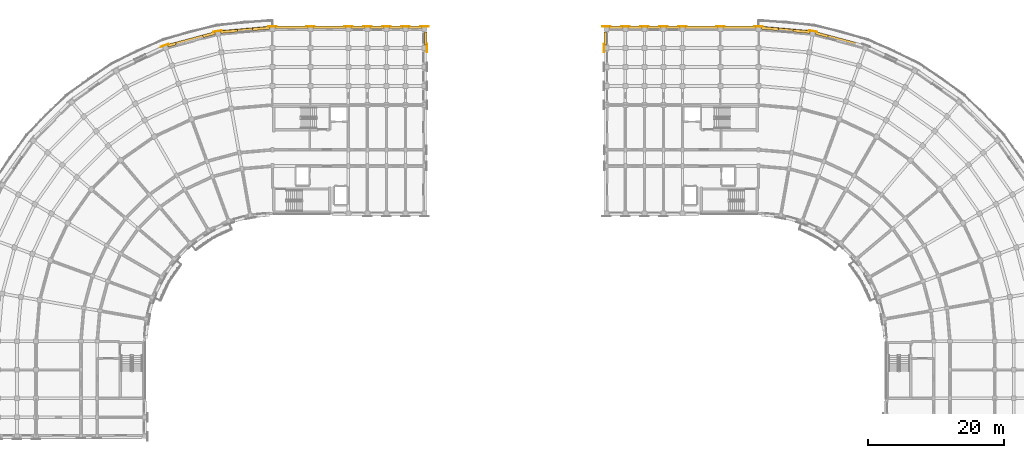
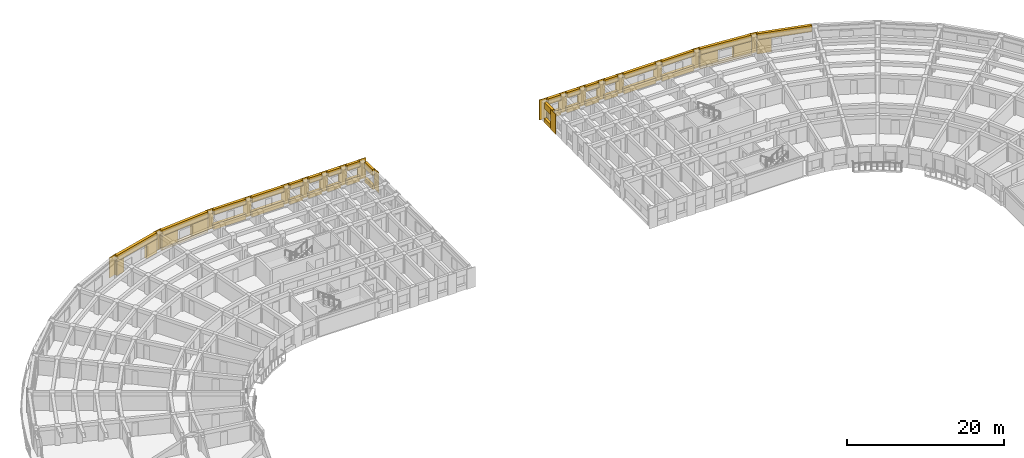
# One storey, part 56 of 57: 60 coverings.
"""IFC4 building model written with IfcOpenShell, lengths in metres."""

from ifc_helpers import new_model, si_unit, direction, frame, origin, place, context, subcontext, project, spatial, polyline, outline, extrude, material, layer, layer_set, type_object, element, save


model = new_model("IFC4")

# Units and contexts
model_context = context("Model", 3, precision=1e-05, world=origin(), true_north=direction((0.0, 1.0)))
body_context = subcontext(model_context, "Body", "Model", "MODEL_VIEW")
ifc_project = project(units=[si_unit("LENGTHUNIT", "METRE"), si_unit("AREAUNIT", "SQUARE_METRE"), si_unit("VOLUMEUNIT", "CUBIC_METRE"), si_unit("PLANEANGLEUNIT", "RADIAN"), si_unit("MASSUNIT", "GRAM", prefix="KILO")], contexts=[model_context])

# Site, building, storey
site_placement = place(None, origin())
site = spatial("IfcSite", under=ifc_project, at=site_placement, CompositionType="ELEMENT")
building_placement = place(site_placement, origin())
building = spatial("IfcBuilding", under=site, at=building_placement, Name="Kiranvali Square Residences", CompositionType="ELEMENT")
storey_placement = place(building_placement, frame((0.0, 0.0, 18.14990234375)))
storey = spatial("IfcBuildingStorey", under=building, at=storey_placement, Name="L05", CompositionType="ELEMENT", Elevation=18.14990234375)

# Coverings
ifc_material = material(Name="Honed Porbandar limestone ashlar facade cladding", Category="masonry")
ifc_layer_1 = layer(ifc_material, 0.3798828125)
ifc_layer_set_1 = layer_set([ifc_layer_1], Name="Honed Porbandar limestone ashlar facade cladding")
covering_type_1 = type_object("IfcCoveringType", Name="COV-CLAD-JAMB", PredefinedType="CLADDING", material=ifc_layer_set_1)
covering_1_placement = place(storey_placement, frame((0.0, 0.0, 0.3720703125)))
element("IfcCovering", 1, at=covering_1_placement, inside=storey, type_object=covering_type_1, Name="L05 deep limestone window jamb reveal A-L05-CRV-00.L", PredefinedType="CLADDING", context=body_context, shape_type="SweptSolid", body=[
    extrude(outline(polyline([(47.765869140625, 134.173583984375), (45.26611328125, 133.954833984375), (45.3017578125, 133.546875), (47.801513671875, 133.765625), (47.765869140625, 134.173583984375)])), origin(), (0.0, 0.0, 1.0), 1.800048828125),
])
covering_2_placement = place(storey_placement, frame((0.0, 0.0, 0.3720703125)))
element("IfcCovering", 2, at=covering_2_placement, inside=storey, type_object=covering_type_1, Name="L05 deep limestone window jamb reveal A-L05-CRV-00.R", PredefinedType="CLADDING", context=body_context, shape_type="SweptSolid", body=[
    extrude(outline(polyline([(43.074462890625, 133.76318359375), (40.574951171875, 133.54443359375), (40.610595703125, 133.136474609375), (43.1103515625, 133.355224609375), (43.074462890625, 133.76318359375)])), origin(), (0.0, 0.0, 1.0), 1.800048828125),
])
covering_3_placement = place(storey_placement, origin())
element("IfcCovering", 3, at=covering_3_placement, inside=storey, type_object=covering_type_1, Name="L05 deep limestone window jamb reveal A-L05-CRV-01.L", PredefinedType="CLADDING", context=body_context, shape_type="SweptSolid", body=[
    extrude(outline(polyline([(39.7197265625, 133.3935546875), (37.9072265625, 132.907958984375), (38.01318359375, 132.512451171875), (39.82568359375, 132.998046875), (39.7197265625, 133.3935546875)])), origin(), (0.0, 0.0, 1.0), 2.18017578125),
])
covering_4_placement = place(storey_placement, origin())
element("IfcCovering", 4, at=covering_4_placement, inside=storey, type_object=covering_type_1, Name="L05 deep limestone window jamb reveal A-L05-CRV-01.R", PredefinedType="CLADDING", context=body_context, shape_type="SweptSolid", body=[
    extrude(outline(polyline([(33.932373046875, 131.843017578125), (32.747314453125, 131.525390625), (32.853271484375, 131.1298828125), (34.038330078125, 131.447265625), (33.932373046875, 131.843017578125)])), origin(), (0.0, 0.0, 1.0), 2.18017578125),
])
covering_5_placement = place(storey_placement, frame((0.0, 0.0, 0.3720703125)))
element("IfcCovering", 5, at=covering_5_placement, inside=storey, type_object=covering_type_1, Name="L05 deep limestone window jamb reveal B-L05-CRV-00.L", PredefinedType="CLADDING", context=body_context, shape_type="SweptSolid", body=[
    extrude(outline(polyline([(120.198486328125, 133.765625), (122.6982421875, 133.546875), (122.73388671875, 133.954833984375), (120.234130859375, 134.173583984375), (120.198486328125, 133.765625)])), origin(), (0.0, 0.0, 1.0), 1.800048828125),
])
covering_6_placement = place(storey_placement, frame((0.0, 0.0, 0.3720703125)))
element("IfcCovering", 6, at=covering_6_placement, inside=storey, type_object=covering_type_1, Name="L05 deep limestone window jamb reveal B-L05-CRV-00.R", PredefinedType="CLADDING", context=body_context, shape_type="SweptSolid", body=[
    extrude(outline(polyline([(124.8896484375, 133.355224609375), (127.389404296875, 133.136474609375), (127.425048828125, 133.54443359375), (124.925537109375, 133.76318359375), (124.8896484375, 133.355224609375)])), origin(), (0.0, 0.0, 1.0), 1.800048828125),
])
covering_7_placement = place(storey_placement, origin())
element("IfcCovering", 7, at=covering_7_placement, inside=storey, type_object=covering_type_1, Name="L05 deep limestone window jamb reveal B-L05-CRV-01.L", PredefinedType="CLADDING", context=body_context, shape_type="SweptSolid", body=[
    extrude(outline(polyline([(128.17431640625, 132.998046875), (129.98681640625, 132.512451171875), (130.0927734375, 132.907958984375), (128.2802734375, 133.3935546875), (128.17431640625, 132.998046875)])), origin(), (0.0, 0.0, 1.0), 2.18017578125),
])
ifc_layer_2 = layer(ifc_material, 0.06494140625)
ifc_layer_set_2 = layer_set([ifc_layer_2], Name="Honed Porbandar limestone ashlar facade cladding")
covering_type_2 = type_object("IfcCoveringType", Name="COV-CLAD-PIER", PredefinedType="CLADDING", material=ifc_layer_set_2)
covering_8_placement = place(storey_placement, frame((0.0, 0.0, 0.005126953125)))
element("IfcCovering", 8, at=covering_8_placement, inside=storey, type_object=covering_type_2, Name="L05 Classical limestone corner pilaster CLAD-PR-A-L05-A00", PredefinedType="CLADDING", context=body_context, shape_type="SweptSolid", body=[
    extrude(outline(polyline([(48.830078125, 134.218017578125), (47.570068359375, 134.218017578125), (47.570068359375, 134.150390625), (48.830078125, 134.150390625), (48.830078125, 134.218017578125)])), origin(), (0.0, 0.0, 1.0), 3.139892578125),
])
covering_9_placement = place(storey_placement, frame((0.0, 0.0, 0.005126953125)))
element("IfcCovering", 9, at=covering_9_placement, inside=storey, type_object=covering_type_2, Name="L05 Classical limestone corner pilaster CLAD-PR-A-L05-A01", PredefinedType="CLADDING", context=body_context, shape_type="SweptSolid", body=[
    extrude(outline(polyline([(40.760009765625, 133.622314453125), (39.519287109375, 133.4033203125), (39.531005859375, 133.3369140625), (40.771728515625, 133.5556640625), (40.760009765625, 133.622314453125)])), origin(), (0.0, 0.0, 1.0), 3.139892578125),
])
covering_10_placement = place(storey_placement, frame((0.0, 0.0, 0.005126953125)))
element("IfcCovering", 10, at=covering_10_placement, inside=storey, type_object=covering_type_2, Name="L05 Classical limestone corner pilaster CLAD-PR-A-L05-A02", PredefinedType="CLADDING", context=body_context, shape_type="SweptSolid", body=[
    extrude(outline(polyline([(32.916015625, 131.634033203125), (31.732177734375, 131.203125), (31.755126953125, 131.1396484375), (32.939208984375, 131.57080078125), (32.916015625, 131.634033203125)])), origin(), (0.0, 0.0, 1.0), 3.139892578125),
])
covering_11_placement = place(storey_placement, frame((0.0, 0.0, 0.005126953125)))
element("IfcCovering", 11, at=covering_11_placement, inside=storey, type_object=covering_type_2, Name="L05 Classical limestone pilaster casing CLAD-PR-A-L05-U56", PredefinedType="CLADDING", context=body_context, shape_type="SweptSolid", body=[
    extrude(outline(polyline([(53.169921875, 134.150390625), (54.429931640625, 134.150390625), (54.429931640625, 134.218017578125), (53.169921875, 134.218017578125), (53.169921875, 134.150390625)])), origin(), (0.0, 0.0, 1.0), 3.139892578125),
])
covering_12_placement = place(storey_placement, frame((0.0, 0.0, 0.005126953125)))
element("IfcCovering", 12, at=covering_12_placement, inside=storey, type_object=covering_type_2, Name="L05 Classical limestone pilaster casing CLAD-PR-A-L05-U112", PredefinedType="CLADDING", context=body_context, shape_type="SweptSolid", body=[
    extrude(outline(polyline([(58.77001953125, 134.150390625), (60.030029296875, 134.150390625), (60.030029296875, 134.218017578125), (58.77001953125, 134.218017578125), (58.77001953125, 134.150390625)])), origin(), (0.0, 0.0, 1.0), 3.139892578125),
])
covering_13_placement = place(storey_placement, frame((0.0, 0.0, 0.005126953125)))
element("IfcCovering", 13, at=covering_13_placement, inside=storey, type_object=covering_type_2, Name="L05 Classical limestone pilaster casing CLAD-PR-A-L05-U140", PredefinedType="CLADDING", context=body_context, shape_type="SweptSolid", body=[
    extrude(outline(polyline([(61.570068359375, 134.150390625), (62.830078125, 134.150390625), (62.830078125, 134.218017578125), (61.570068359375, 134.218017578125), (61.570068359375, 134.150390625)])), origin(), (0.0, 0.0, 1.0), 3.139892578125),
])
covering_14_placement = place(storey_placement, frame((0.0, 0.0, 0.005126953125)))
element("IfcCovering", 14, at=covering_14_placement, inside=storey, type_object=covering_type_2, Name="L05 Classical limestone pilaster casing CLAD-PR-A-L05-U167", PredefinedType="CLADDING", context=body_context, shape_type="SweptSolid", body=[
    extrude(outline(polyline([(64.3701171875, 134.150390625), (65.6298828125, 134.150390625), (65.6298828125, 134.218017578125), (64.3701171875, 134.218017578125), (64.3701171875, 134.150390625)])), origin(), (0.0, 0.0, 1.0), 3.139892578125),
])
covering_15_placement = place(storey_placement, frame((0.0, 0.0, 0.005126953125)))
element("IfcCovering", 15, at=covering_15_placement, inside=storey, type_object=covering_type_2, Name="L05 Classical limestone pilaster casing CLAD-PR-A-L05-U195", PredefinedType="CLADDING", context=body_context, shape_type="SweptSolid", body=[
    extrude(outline(polyline([(67.169921875, 134.150390625), (68.429931640625, 134.150390625), (68.429931640625, 134.218017578125), (67.169921875, 134.218017578125), (67.169921875, 134.150390625)])), origin(), (0.0, 0.0, 1.0), 3.139892578125),
])
covering_16_placement = place(storey_placement, frame((0.0, 0.0, 0.005126953125)))
element("IfcCovering", 16, at=covering_16_placement, inside=storey, type_object=covering_type_2, Name="L05 Classical limestone pilaster casing CLAD-PR-A-L05-U224", PredefinedType="CLADDING", context=body_context, shape_type="SweptSolid", body=[
    extrude(outline(polyline([(69.969970703125, 134.150390625), (71.22998046875, 134.150390625), (71.22998046875, 134.218017578125), (69.969970703125, 134.218017578125), (69.969970703125, 134.150390625)])), origin(), (0.0, 0.0, 1.0), 3.139892578125),
])
covering_17_placement = place(storey_placement, frame((0.0, 0.0, 0.005126953125)))
element("IfcCovering", 17, at=covering_17_placement, inside=storey, type_object=covering_type_2, Name="L05 Classical limestone corner pilaster CLAD-PR-B-L05-A00", PredefinedType="CLADDING", context=body_context, shape_type="SweptSolid", body=[
    extrude(outline(polyline([(120.429931640625, 134.218017578125), (119.169921875, 134.218017578125), (119.169921875, 134.150390625), (120.429931640625, 134.150390625), (120.429931640625, 134.218017578125)])), origin(), (0.0, 0.0, 1.0), 3.139892578125),
])
covering_18_placement = place(storey_placement, frame((0.0, 0.0, 0.005126953125)))
element("IfcCovering", 18, at=covering_18_placement, inside=storey, type_object=covering_type_2, Name="L05 Classical limestone corner pilaster CLAD-PR-B-L05-A01", PredefinedType="CLADDING", context=body_context, shape_type="SweptSolid", body=[
    extrude(outline(polyline([(128.480712890625, 133.4033203125), (127.239990234375, 133.622314453125), (127.228271484375, 133.5556640625), (128.468994140625, 133.3369140625), (128.480712890625, 133.4033203125)])), origin(), (0.0, 0.0, 1.0), 3.139892578125),
])
covering_19_placement = place(storey_placement, frame((0.0, 0.0, 0.005126953125)))
element("IfcCovering", 19, at=covering_19_placement, inside=storey, type_object=covering_type_2, Name="L05 Classical limestone pilaster casing CLAD-PR-B-L05-U56", PredefinedType="CLADDING", context=body_context, shape_type="SweptSolid", body=[
    extrude(outline(polyline([(114.830078125, 134.218017578125), (113.570068359375, 134.218017578125), (113.570068359375, 134.150390625), (114.830078125, 134.150390625), (114.830078125, 134.218017578125)])), origin(), (0.0, 0.0, 1.0), 3.139892578125),
])
covering_20_placement = place(storey_placement, frame((0.0, 0.0, 0.005126953125)))
element("IfcCovering", 20, at=covering_20_placement, inside=storey, type_object=covering_type_2, Name="L05 Classical limestone pilaster casing CLAD-PR-B-L05-U112", PredefinedType="CLADDING", context=body_context, shape_type="SweptSolid", body=[
    extrude(outline(polyline([(109.22998046875, 134.218017578125), (107.969970703125, 134.218017578125), (107.969970703125, 134.150390625), (109.22998046875, 134.150390625), (109.22998046875, 134.218017578125)])), origin(), (0.0, 0.0, 1.0), 3.139892578125),
])
covering_21_placement = place(storey_placement, frame((0.0, 0.0, 0.005126953125)))
element("IfcCovering", 21, at=covering_21_placement, inside=storey, type_object=covering_type_2, Name="L05 Classical limestone pilaster casing CLAD-PR-B-L05-U140", PredefinedType="CLADDING", context=body_context, shape_type="SweptSolid", body=[
    extrude(outline(polyline([(106.429931640625, 134.218017578125), (105.169921875, 134.218017578125), (105.169921875, 134.150390625), (106.429931640625, 134.150390625), (106.429931640625, 134.218017578125)])), origin(), (0.0, 0.0, 1.0), 3.139892578125),
])
covering_22_placement = place(storey_placement, frame((0.0, 0.0, 0.005126953125)))
element("IfcCovering", 22, at=covering_22_placement, inside=storey, type_object=covering_type_2, Name="L05 Classical limestone pilaster casing CLAD-PR-B-L05-U167", PredefinedType="CLADDING", context=body_context, shape_type="SweptSolid", body=[
    extrude(outline(polyline([(103.6298828125, 134.218017578125), (102.3701171875, 134.218017578125), (102.3701171875, 134.150390625), (103.6298828125, 134.150390625), (103.6298828125, 134.218017578125)])), origin(), (0.0, 0.0, 1.0), 3.139892578125),
])
covering_23_placement = place(storey_placement, frame((0.0, 0.0, 0.005126953125)))
element("IfcCovering", 23, at=covering_23_placement, inside=storey, type_object=covering_type_2, Name="L05 Classical limestone pilaster casing CLAD-PR-B-L05-U195", PredefinedType="CLADDING", context=body_context, shape_type="SweptSolid", body=[
    extrude(outline(polyline([(100.830078125, 134.218017578125), (99.570068359375, 134.218017578125), (99.570068359375, 134.150390625), (100.830078125, 134.150390625), (100.830078125, 134.218017578125)])), origin(), (0.0, 0.0, 1.0), 3.139892578125),
])
covering_24_placement = place(storey_placement, frame((0.0, 0.0, 0.005126953125)))
element("IfcCovering", 24, at=covering_24_placement, inside=storey, type_object=covering_type_2, Name="L05 Classical limestone pilaster casing CLAD-PR-B-L05-U224", PredefinedType="CLADDING", context=body_context, shape_type="SweptSolid", body=[
    extrude(outline(polyline([(98.030029296875, 134.218017578125), (96.77001953125, 134.218017578125), (96.77001953125, 134.150390625), (98.030029296875, 134.150390625), (98.030029296875, 134.218017578125)])), origin(), (0.0, 0.0, 1.0), 3.139892578125),
])
ifc_layer_3 = layer(ifc_material, 0.054931640625)
ifc_layer_set_3 = layer_set([ifc_layer_3], Name="Honed Porbandar limestone ashlar facade cladding")
covering_type_3 = type_object("IfcCoveringType", Name="COV-CLAD-PIER-UP", PredefinedType="CLADDING", material=ifc_layer_set_3)
covering_25_placement = place(storey_placement, frame((0.0, 0.0, 0.005126953125)))
element("IfcCovering", 25, at=covering_25_placement, inside=storey, type_object=covering_type_3, Name="L05 Classical limestone pilaster casing CLAD-PRA1E-A-L05-R432", PredefinedType="CLADDING", context=body_context, shape_type="SweptSolid", body=[
    extrude(outline(polyline([(71.01806640625, 130.3701171875), (71.01806640625, 131.6298828125), (70.950439453125, 131.6298828125), (70.950439453125, 130.3701171875), (71.01806640625, 130.3701171875)])), origin(), (0.0, 0.0, 1.0), 3.139892578125),
])
covering_26_placement = place(storey_placement, frame((0.0, 0.0, 0.005126953125)))
element("IfcCovering", 26, at=covering_26_placement, inside=storey, type_object=covering_type_3, Name="L05 Classical limestone pilaster casing CLAD-PRA1E-B-L05-R432", PredefinedType="CLADDING", context=body_context, shape_type="SweptSolid", body=[
    extrude(outline(polyline([(97.049560546875, 130.3701171875), (97.049560546875, 131.6298828125), (96.98193359375, 131.6298828125), (96.98193359375, 130.3701171875), (97.049560546875, 130.3701171875)])), origin(), (0.0, 0.0, 1.0), 3.139892578125),
])
ifc_layer_4 = layer(ifc_material, 0.360107421875)
ifc_layer_set_4 = layer_set([ifc_layer_4], Name="Honed Porbandar limestone ashlar facade cladding")
covering_type_4 = type_object("IfcCoveringType", Name="COV-CLAD-WALL", PredefinedType="CLADDING", material=ifc_layer_set_4)
covering_27_placement = place(storey_placement, frame((0.0, 0.0, 2.172119140625)))
element("IfcCovering", 27, at=covering_27_placement, inside=storey, type_object=covering_type_4, Name="L05 light limestone spandrel lintel A-L05-CRV-00", PredefinedType="CLADDING", context=body_context, shape_type="SweptSolid", body=[
    extrude(outline(polyline([(47.765869140625, 134.173583984375), (40.574951171875, 133.54443359375), (40.610595703125, 133.136474609375), (47.801513671875, 133.765625), (47.765869140625, 134.173583984375)])), origin(), (0.0, 0.0, 1.0), 0.972900390625),
])
covering_28_placement = place(storey_placement, frame((0.0, 0.0, 0.005126953125)))
element("IfcCovering", 28, at=covering_28_placement, inside=storey, type_object=covering_type_4, Name="L05 limestone window sill apron A-L05-CRV-00", PredefinedType="CLADDING", context=body_context, shape_type="SweptSolid", body=[
    extrude(outline(polyline([(47.76318359375, 134.203369140625), (40.572265625, 133.57421875), (40.610595703125, 133.136474609375), (47.801513671875, 133.765625), (47.76318359375, 134.203369140625)])), origin(), (0.0, 0.0, 1.0), 0.366943359375),
])
covering_29_placement = place(storey_placement, frame((0.0, 0.0, 2.18017578125)))
element("IfcCovering", 29, at=covering_29_placement, inside=storey, type_object=covering_type_4, Name="L05 light limestone spandrel lintel A-L05-CRV-01", PredefinedType="CLADDING", context=body_context, shape_type="SweptSolid", body=[
    extrude(outline(polyline([(39.7197265625, 133.3935546875), (32.747314453125, 131.525390625), (32.853271484375, 131.1298828125), (39.82568359375, 132.998046875), (39.7197265625, 133.3935546875)])), origin(), (0.0, 0.0, 1.0), 0.96484375),
])
covering_30_placement = place(storey_placement, frame((0.0, 0.0, 2.272216796875)))
element("IfcCovering", 30, at=covering_30_placement, inside=storey, type_object=covering_type_4, Name="L05 light limestone spandrel lintel A-L05-A1O-0", PredefinedType="CLADDING", context=body_context, shape_type="SweptSolid", body=[
    extrude(outline(polyline([(48.639892578125, 133.800537109375), (53.360107421875, 133.800537109375), (53.360107421875, 134.199951171875), (48.639892578125, 134.199951171875), (48.639892578125, 133.800537109375)])), origin(), (0.0, 0.0, 1.0), 0.872802734375),
])
covering_31_placement = place(storey_placement, frame((0.0, 0.0, 0.005126953125)))
element("IfcCovering", 31, at=covering_31_placement, inside=storey, type_object=covering_type_4, Name="L05 limestone window sill apron A-L05-A1O-0", PredefinedType="CLADDING", context=body_context, shape_type="SweptSolid", body=[
    extrude(outline(polyline([(48.639892578125, 133.800537109375), (53.360107421875, 133.800537109375), (53.360107421875, 134.22998046875), (48.639892578125, 134.22998046875), (48.639892578125, 133.800537109375)])), origin(), (0.0, 0.0, 1.0), 0.81689453125),
])
covering_32_placement = place(storey_placement, frame((0.0, 0.0, 2.22998046875)))
element("IfcCovering", 32, at=covering_32_placement, inside=storey, type_object=covering_type_4, Name="L05 light limestone spandrel lintel A-L05-A1O-1", PredefinedType="CLADDING", context=body_context, shape_type="SweptSolid", body=[
    extrude(outline(polyline([(54.239990234375, 133.800537109375), (58.9599609375, 133.800537109375), (58.9599609375, 134.199951171875), (54.239990234375, 134.199951171875), (54.239990234375, 133.800537109375)])), origin(), (0.0, 0.0, 1.0), 0.9150390625),
])
covering_33_placement = place(storey_placement, frame((0.0, 0.0, 0.005126953125)))
element("IfcCovering", 33, at=covering_33_placement, inside=storey, type_object=covering_type_4, Name="L05 limestone window sill apron A-L05-A1O-1", PredefinedType="CLADDING", context=body_context, shape_type="SweptSolid", body=[
    extrude(outline(polyline([(54.239990234375, 133.800537109375), (58.9599609375, 133.800537109375), (58.9599609375, 134.22998046875), (54.239990234375, 134.22998046875), (54.239990234375, 133.800537109375)])), origin(), (0.0, 0.0, 1.0), 0.875),
])
covering_34_placement = place(storey_placement, frame((0.0, 0.0, 2.272216796875)))
element("IfcCovering", 34, at=covering_34_placement, inside=storey, type_object=covering_type_4, Name="L05 light limestone spandrel lintel A-L05-A1O-2", PredefinedType="CLADDING", context=body_context, shape_type="SweptSolid", body=[
    extrude(outline(polyline([(59.840087890625, 133.800537109375), (61.760009765625, 133.800537109375), (61.760009765625, 134.199951171875), (59.840087890625, 134.199951171875), (59.840087890625, 133.800537109375)])), origin(), (0.0, 0.0, 1.0), 0.872802734375),
])
covering_35_placement = place(storey_placement, frame((0.0, 0.0, 0.005126953125)))
element("IfcCovering", 35, at=covering_35_placement, inside=storey, type_object=covering_type_4, Name="L05 limestone window sill apron A-L05-A1O-2", PredefinedType="CLADDING", context=body_context, shape_type="SweptSolid", body=[
    extrude(outline(polyline([(59.840087890625, 133.800537109375), (61.760009765625, 133.800537109375), (61.760009765625, 134.22998046875), (59.840087890625, 134.22998046875), (59.840087890625, 133.800537109375)])), origin(), (0.0, 0.0, 1.0), 0.76708984375),
])
covering_36_placement = place(storey_placement, frame((0.0, 0.0, 2.272216796875)))
element("IfcCovering", 36, at=covering_36_placement, inside=storey, type_object=covering_type_4, Name="L05 light limestone spandrel lintel A-L05-A1O-3", PredefinedType="CLADDING", context=body_context, shape_type="SweptSolid", body=[
    extrude(outline(polyline([(62.639892578125, 133.800537109375), (64.56005859375, 133.800537109375), (64.56005859375, 134.199951171875), (62.639892578125, 134.199951171875), (62.639892578125, 133.800537109375)])), origin(), (0.0, 0.0, 1.0), 0.872802734375),
])
covering_37_placement = place(storey_placement, frame((0.0, 0.0, 0.005126953125)))
element("IfcCovering", 37, at=covering_37_placement, inside=storey, type_object=covering_type_4, Name="L05 limestone window sill apron A-L05-A1O-3", PredefinedType="CLADDING", context=body_context, shape_type="SweptSolid", body=[
    extrude(outline(polyline([(62.639892578125, 133.800537109375), (64.56005859375, 133.800537109375), (64.56005859375, 134.22998046875), (62.639892578125, 134.22998046875), (62.639892578125, 133.800537109375)])), origin(), (0.0, 0.0, 1.0), 0.76708984375),
])
covering_38_placement = place(storey_placement, frame((0.0, 0.0, 2.272216796875)))
element("IfcCovering", 38, at=covering_38_placement, inside=storey, type_object=covering_type_4, Name="L05 light limestone spandrel lintel A-L05-A1O-4", PredefinedType="CLADDING", context=body_context, shape_type="SweptSolid", body=[
    extrude(outline(polyline([(65.43994140625, 133.800537109375), (67.360107421875, 133.800537109375), (67.360107421875, 134.199951171875), (65.43994140625, 134.199951171875), (65.43994140625, 133.800537109375)])), origin(), (0.0, 0.0, 1.0), 0.872802734375),
])
covering_39_placement = place(storey_placement, frame((0.0, 0.0, 0.005126953125)))
element("IfcCovering", 39, at=covering_39_placement, inside=storey, type_object=covering_type_4, Name="L05 limestone window sill apron A-L05-A1O-4", PredefinedType="CLADDING", context=body_context, shape_type="SweptSolid", body=[
    extrude(outline(polyline([(65.43994140625, 133.800537109375), (67.360107421875, 133.800537109375), (67.360107421875, 134.22998046875), (65.43994140625, 134.22998046875), (65.43994140625, 133.800537109375)])), origin(), (0.0, 0.0, 1.0), 0.81689453125),
])
covering_40_placement = place(storey_placement, frame((0.0, 0.0, 2.22998046875)))
element("IfcCovering", 40, at=covering_40_placement, inside=storey, type_object=covering_type_4, Name="L05 light limestone spandrel lintel A-L05-A1O-5", PredefinedType="CLADDING", context=body_context, shape_type="SweptSolid", body=[
    extrude(outline(polyline([(68.239990234375, 133.800537109375), (70.159912109375, 133.800537109375), (70.159912109375, 134.199951171875), (68.239990234375, 134.199951171875), (68.239990234375, 133.800537109375)])), origin(), (0.0, 0.0, 1.0), 0.9150390625),
])
covering_41_placement = place(storey_placement, frame((0.0, 0.0, 0.005126953125)))
element("IfcCovering", 41, at=covering_41_placement, inside=storey, type_object=covering_type_4, Name="L05 limestone window sill apron A-L05-A1O-5", PredefinedType="CLADDING", context=body_context, shape_type="SweptSolid", body=[
    extrude(outline(polyline([(68.239990234375, 133.800537109375), (70.159912109375, 133.800537109375), (70.159912109375, 134.22998046875), (68.239990234375, 134.22998046875), (68.239990234375, 133.800537109375)])), origin(), (0.0, 0.0, 1.0), 0.875),
])
covering_42_placement = place(storey_placement, frame((0.0, 0.0, 2.172119140625)))
element("IfcCovering", 42, at=covering_42_placement, inside=storey, type_object=covering_type_4, Name="L05 light limestone spandrel lintel A-L05-A1END-6", PredefinedType="CLADDING", context=body_context, shape_type="SweptSolid", body=[
    extrude(outline(polyline([(70.93994140625, 131.419921875), (70.93994140625, 133.3798828125), (70.6005859375, 133.3798828125), (70.6005859375, 131.419921875), (70.93994140625, 131.419921875)])), origin(), (0.0, 0.0, 1.0), 0.972900390625),
])
covering_43_placement = place(storey_placement, frame((0.0, 0.0, 0.005126953125)))
element("IfcCovering", 43, at=covering_43_placement, inside=storey, type_object=covering_type_4, Name="L05 limestone window sill apron A-L05-A1END-6", PredefinedType="CLADDING", context=body_context, shape_type="SweptSolid", body=[
    extrude(outline(polyline([(70.969970703125, 131.419921875), (70.969970703125, 133.3798828125), (70.6005859375, 133.3798828125), (70.6005859375, 131.419921875), (70.969970703125, 131.419921875)])), origin(), (0.0, 0.0, 1.0), 0.6669921875),
])
covering_44_placement = place(storey_placement, frame((0.0, 0.0, 2.172119140625)))
element("IfcCovering", 44, at=covering_44_placement, inside=storey, type_object=covering_type_4, Name="L05 light limestone spandrel lintel B-L05-CRV-00", PredefinedType="CLADDING", context=body_context, shape_type="SweptSolid", body=[
    extrude(outline(polyline([(120.198486328125, 133.765625), (127.389404296875, 133.136474609375), (127.425048828125, 133.54443359375), (120.234130859375, 134.173583984375), (120.198486328125, 133.765625)])), origin(), (0.0, 0.0, 1.0), 0.972900390625),
])
covering_45_placement = place(storey_placement, frame((0.0, 0.0, 0.005126953125)))
element("IfcCovering", 45, at=covering_45_placement, inside=storey, type_object=covering_type_4, Name="L05 limestone window sill apron B-L05-CRV-00", PredefinedType="CLADDING", context=body_context, shape_type="SweptSolid", body=[
    extrude(outline(polyline([(120.198486328125, 133.765625), (127.389404296875, 133.136474609375), (127.427734375, 133.57421875), (120.23681640625, 134.203369140625), (120.198486328125, 133.765625)])), origin(), (0.0, 0.0, 1.0), 0.366943359375),
])
covering_46_placement = place(storey_placement, frame((0.0, 0.0, 2.18017578125)))
element("IfcCovering", 46, at=covering_46_placement, inside=storey, type_object=covering_type_4, Name="L05 light limestone spandrel lintel B-L05-CRV-01", PredefinedType="CLADDING", context=body_context, shape_type="SweptSolid", body=[
    extrude(outline(polyline([(128.17431640625, 132.998046875), (135.146728515625, 131.1298828125), (135.252685546875, 131.525390625), (128.2802734375, 133.3935546875), (128.17431640625, 132.998046875)])), origin(), (0.0, 0.0, 1.0), 0.96484375),
])
covering_47_placement = place(storey_placement, frame((0.0, 0.0, 2.272216796875)))
element("IfcCovering", 47, at=covering_47_placement, inside=storey, type_object=covering_type_4, Name="L05 light limestone spandrel lintel B-L05-A1O-0", PredefinedType="CLADDING", context=body_context, shape_type="SweptSolid", body=[
    extrude(outline(polyline([(119.360107421875, 134.199951171875), (114.639892578125, 134.199951171875), (114.639892578125, 133.800537109375), (119.360107421875, 133.800537109375), (119.360107421875, 134.199951171875)])), origin(), (0.0, 0.0, 1.0), 0.872802734375),
])
covering_48_placement = place(storey_placement, frame((0.0, 0.0, 0.005126953125)))
element("IfcCovering", 48, at=covering_48_placement, inside=storey, type_object=covering_type_4, Name="L05 limestone window sill apron B-L05-A1O-0", PredefinedType="CLADDING", context=body_context, shape_type="SweptSolid", body=[
    extrude(outline(polyline([(119.360107421875, 134.22998046875), (114.639892578125, 134.22998046875), (114.639892578125, 133.800537109375), (119.360107421875, 133.800537109375), (119.360107421875, 134.22998046875)])), origin(), (0.0, 0.0, 1.0), 0.81689453125),
])
covering_49_placement = place(storey_placement, frame((0.0, 0.0, 2.22998046875)))
element("IfcCovering", 49, at=covering_49_placement, inside=storey, type_object=covering_type_4, Name="L05 light limestone spandrel lintel B-L05-A1O-1", PredefinedType="CLADDING", context=body_context, shape_type="SweptSolid", body=[
    extrude(outline(polyline([(113.760009765625, 134.199951171875), (109.0400390625, 134.199951171875), (109.0400390625, 133.800537109375), (113.760009765625, 133.800537109375), (113.760009765625, 134.199951171875)])), origin(), (0.0, 0.0, 1.0), 0.9150390625),
])
covering_50_placement = place(storey_placement, frame((0.0, 0.0, 0.005126953125)))
element("IfcCovering", 50, at=covering_50_placement, inside=storey, type_object=covering_type_4, Name="L05 limestone window sill apron B-L05-A1O-1", PredefinedType="CLADDING", context=body_context, shape_type="SweptSolid", body=[
    extrude(outline(polyline([(113.760009765625, 134.22998046875), (109.0400390625, 134.22998046875), (109.0400390625, 133.800537109375), (113.760009765625, 133.800537109375), (113.760009765625, 134.22998046875)])), origin(), (0.0, 0.0, 1.0), 0.875),
])
covering_51_placement = place(storey_placement, frame((0.0, 0.0, 2.272216796875)))
element("IfcCovering", 51, at=covering_51_placement, inside=storey, type_object=covering_type_4, Name="L05 light limestone spandrel lintel B-L05-A1O-2", PredefinedType="CLADDING", context=body_context, shape_type="SweptSolid", body=[
    extrude(outline(polyline([(108.159912109375, 134.199951171875), (106.239990234375, 134.199951171875), (106.239990234375, 133.800537109375), (108.159912109375, 133.800537109375), (108.159912109375, 134.199951171875)])), origin(), (0.0, 0.0, 1.0), 0.872802734375),
])
covering_52_placement = place(storey_placement, frame((0.0, 0.0, 0.005126953125)))
element("IfcCovering", 52, at=covering_52_placement, inside=storey, type_object=covering_type_4, Name="L05 limestone window sill apron B-L05-A1O-2", PredefinedType="CLADDING", context=body_context, shape_type="SweptSolid", body=[
    extrude(outline(polyline([(108.159912109375, 134.22998046875), (106.239990234375, 134.22998046875), (106.239990234375, 133.800537109375), (108.159912109375, 133.800537109375), (108.159912109375, 134.22998046875)])), origin(), (0.0, 0.0, 1.0), 0.76708984375),
])
covering_53_placement = place(storey_placement, frame((0.0, 0.0, 2.272216796875)))
element("IfcCovering", 53, at=covering_53_placement, inside=storey, type_object=covering_type_4, Name="L05 light limestone spandrel lintel B-L05-A1O-3", PredefinedType="CLADDING", context=body_context, shape_type="SweptSolid", body=[
    extrude(outline(polyline([(105.360107421875, 134.199951171875), (103.43994140625, 134.199951171875), (103.43994140625, 133.800537109375), (105.360107421875, 133.800537109375), (105.360107421875, 134.199951171875)])), origin(), (0.0, 0.0, 1.0), 0.872802734375),
])
covering_54_placement = place(storey_placement, frame((0.0, 0.0, 0.005126953125)))
element("IfcCovering", 54, at=covering_54_placement, inside=storey, type_object=covering_type_4, Name="L05 limestone window sill apron B-L05-A1O-3", PredefinedType="CLADDING", context=body_context, shape_type="SweptSolid", body=[
    extrude(outline(polyline([(105.360107421875, 134.22998046875), (103.43994140625, 134.22998046875), (103.43994140625, 133.800537109375), (105.360107421875, 133.800537109375), (105.360107421875, 134.22998046875)])), origin(), (0.0, 0.0, 1.0), 0.76708984375),
])
covering_55_placement = place(storey_placement, frame((0.0, 0.0, 2.272216796875)))
element("IfcCovering", 55, at=covering_55_placement, inside=storey, type_object=covering_type_4, Name="L05 light limestone spandrel lintel B-L05-A1O-4", PredefinedType="CLADDING", context=body_context, shape_type="SweptSolid", body=[
    extrude(outline(polyline([(102.56005859375, 134.199951171875), (100.639892578125, 134.199951171875), (100.639892578125, 133.800537109375), (102.56005859375, 133.800537109375), (102.56005859375, 134.199951171875)])), origin(), (0.0, 0.0, 1.0), 0.872802734375),
])
covering_56_placement = place(storey_placement, frame((0.0, 0.0, 0.005126953125)))
element("IfcCovering", 56, at=covering_56_placement, inside=storey, type_object=covering_type_4, Name="L05 limestone window sill apron B-L05-A1O-4", PredefinedType="CLADDING", context=body_context, shape_type="SweptSolid", body=[
    extrude(outline(polyline([(102.56005859375, 134.22998046875), (100.639892578125, 134.22998046875), (100.639892578125, 133.800537109375), (102.56005859375, 133.800537109375), (102.56005859375, 134.22998046875)])), origin(), (0.0, 0.0, 1.0), 0.81689453125),
])
covering_57_placement = place(storey_placement, frame((0.0, 0.0, 2.22998046875)))
element("IfcCovering", 57, at=covering_57_placement, inside=storey, type_object=covering_type_4, Name="L05 light limestone spandrel lintel B-L05-A1O-5", PredefinedType="CLADDING", context=body_context, shape_type="SweptSolid", body=[
    extrude(outline(polyline([(99.760009765625, 134.199951171875), (97.840087890625, 134.199951171875), (97.840087890625, 133.800537109375), (99.760009765625, 133.800537109375), (99.760009765625, 134.199951171875)])), origin(), (0.0, 0.0, 1.0), 0.9150390625),
])
covering_58_placement = place(storey_placement, frame((0.0, 0.0, 0.005126953125)))
element("IfcCovering", 58, at=covering_58_placement, inside=storey, type_object=covering_type_4, Name="L05 limestone window sill apron B-L05-A1O-5", PredefinedType="CLADDING", context=body_context, shape_type="SweptSolid", body=[
    extrude(outline(polyline([(99.760009765625, 134.22998046875), (97.840087890625, 134.22998046875), (97.840087890625, 133.800537109375), (99.760009765625, 133.800537109375), (99.760009765625, 134.22998046875)])), origin(), (0.0, 0.0, 1.0), 0.875),
])
covering_59_placement = place(storey_placement, frame((0.0, 0.0, 2.172119140625)))
element("IfcCovering", 59, at=covering_59_placement, inside=storey, type_object=covering_type_4, Name="L05 light limestone spandrel lintel B-L05-A1END-6", PredefinedType="CLADDING", context=body_context, shape_type="SweptSolid", body=[
    extrude(outline(polyline([(97.3994140625, 131.419921875), (97.3994140625, 133.3798828125), (97.06005859375, 133.3798828125), (97.06005859375, 131.419921875), (97.3994140625, 131.419921875)])), origin(), (0.0, 0.0, 1.0), 0.972900390625),
])
covering_60_placement = place(storey_placement, frame((0.0, 0.0, 0.005126953125)))
element("IfcCovering", 60, at=covering_60_placement, inside=storey, type_object=covering_type_4, Name="L05 limestone window sill apron B-L05-A1END-6", PredefinedType="CLADDING", context=body_context, shape_type="SweptSolid", body=[
    extrude(outline(polyline([(97.3994140625, 131.419921875), (97.3994140625, 133.3798828125), (97.030029296875, 133.3798828125), (97.030029296875, 131.419921875), (97.3994140625, 131.419921875)])), origin(), (0.0, 0.0, 1.0), 0.6669921875),
])

save(model, "model.ifc")
